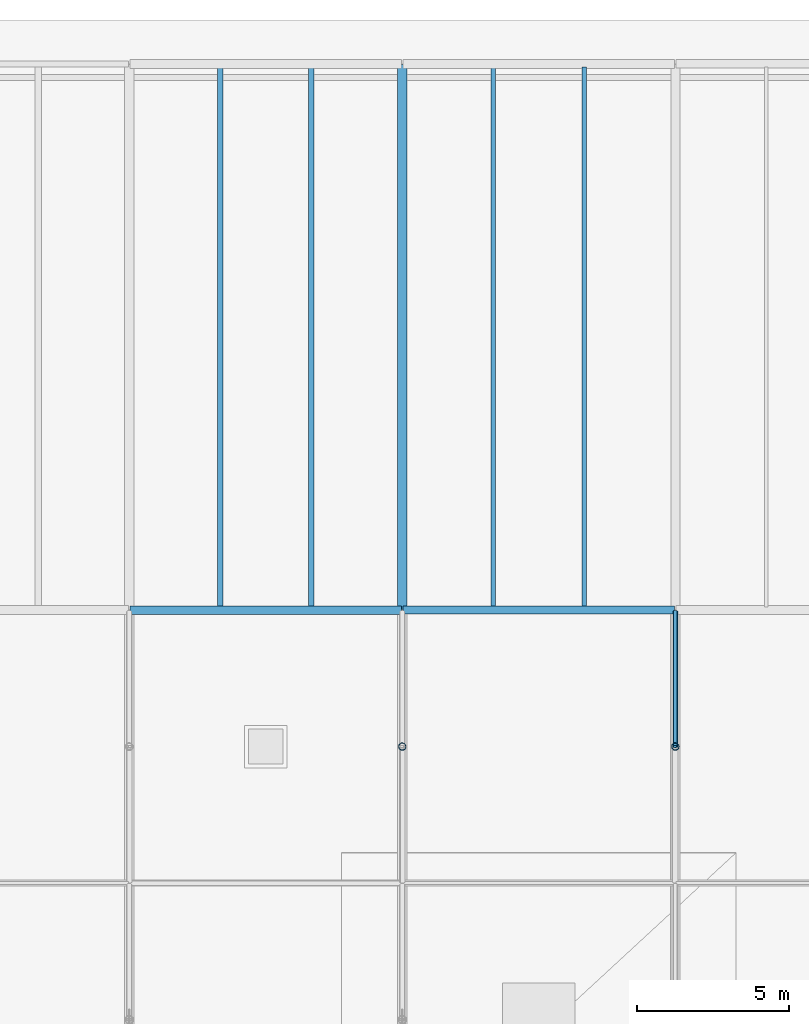
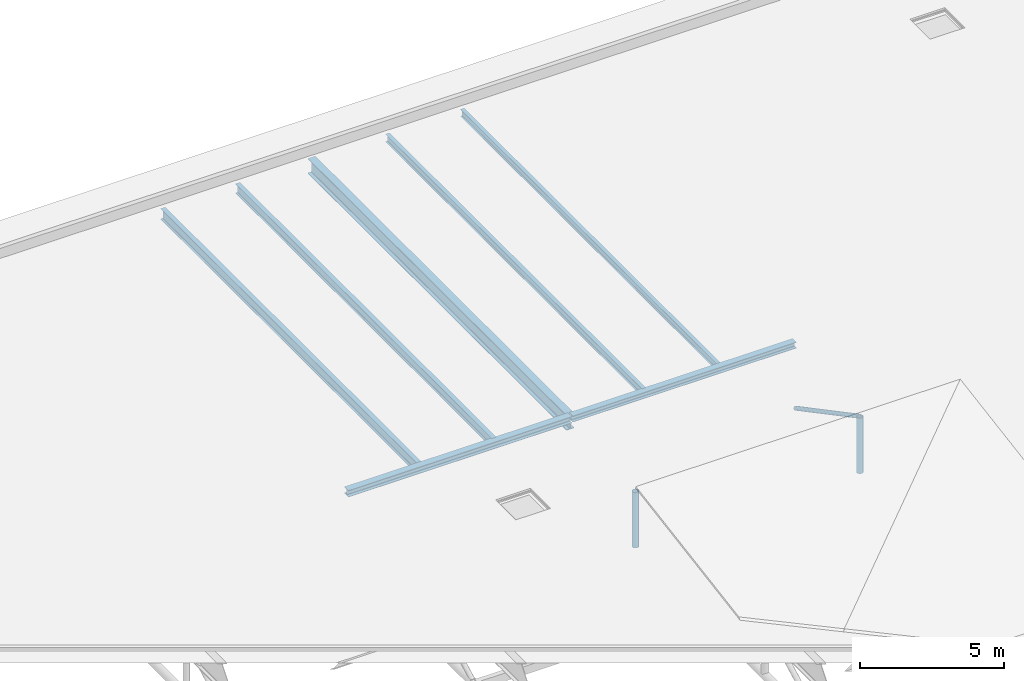
# One storey, part 94 of 196: 7 beams, 3 members.
"""IFC4 building model written with IfcOpenShell, lengths in metres."""

from ifc_helpers import new_model, si_unit, direction, frame, origin, origin_2d, place, context, subcontext, project, spatial, hollow_circle, i_section, extrude, material, material_profile, profile_set, type_object, element, save


model = new_model("IFC4")

# Units and contexts
model_context = context("Model", 3, precision=1e-05, world=origin(), true_north=direction((0.0, 1.0)))
body_context = subcontext(model_context, "Body", "Model", "MODEL_VIEW")
ifc_project = project(units=[si_unit("LENGTHUNIT", "METRE"), si_unit("AREAUNIT", "SQUARE_METRE"), si_unit("VOLUMEUNIT", "CUBIC_METRE"), si_unit("PLANEANGLEUNIT", "RADIAN"), si_unit("MASSUNIT", "GRAM", prefix="KILO")], contexts=[model_context])

# Site, building, storey
site_placement = place(None, origin())
site = spatial("IfcSite", under=ifc_project, at=site_placement, CompositionType="ELEMENT")
building_placement = place(site_placement, origin())
building = spatial("IfcBuilding", under=site, at=building_placement, Name="Barlavento Convention Centre", CompositionType="ELEMENT")
storey_placement = place(building_placement, frame((0.0, 0.0, 18.0)))
storey = spatial("IfcBuildingStorey", under=building, at=storey_placement, Name="L03", CompositionType="ELEMENT", Elevation=18.0)

# Beams
ifc_material = material(Name="Steel S355", Category="steel")
ifc_material_profile_1 = material_profile(ifc_material, i_section(OverallWidth=0.14990234375, OverallDepth=0.300048828125, WebThickness=0.007080078125, FlangeThickness=0.0107421875, FilletRadius=0.014892578125, at=origin_2d()), Name="IPE 300")
ifc_profile_set_1 = profile_set([ifc_material_profile_1], Name="Steel S355")
beam_type_1 = type_object("IfcBeamType", Name="STR-BM-JST-IPE300", PredefinedType="JOIST", material=ifc_profile_set_1)
beam_1_placement = place(storey_placement, frame((78.0, 117.094970703125, -0.4951171875), z_axis=(0.0, 1.0, 0.0), x_axis=(-1.0, 0.0, 0.0)))
element("IfcBeam", 1, at=beam_1_placement, inside=storey, type_object=beam_type_1, Name="L03 composite floor joist SJ07", PredefinedType="JOIST", context=body_context, shape_type="SweptSolid", body=[
    extrude(i_section(OverallWidth=0.14990234375, OverallDepth=0.300048828125, WebThickness=0.007080078125, FlangeThickness=0.0107421875, FilletRadius=0.014892578125, at=origin_2d()), origin(), (0.0, 0.0, 1.0), 17.81005859375),
])
ifc_material_profile_2 = material_profile(ifc_material, i_section(OverallWidth=0.159912109375, OverallDepth=0.330078125, WebThickness=0.007568359375, FlangeThickness=0.011474609375, FilletRadius=0.01806640625, at=origin_2d()), Name="IPE 330")
ifc_profile_set_2 = profile_set([ifc_material_profile_2], Name="Steel S355")
beam_type_2 = type_object("IfcBeamType", Name="STR-BM-JST-IPE330", PredefinedType="JOIST", material=ifc_profile_set_2)
beam_2_placement = place(storey_placement, frame((75.0, 117.094970703125, -0.510009765625), z_axis=(0.0, 1.0, 0.0), x_axis=(-1.0, 0.0, 0.0)))
element("IfcBeam", 2, at=beam_2_placement, inside=storey, type_object=beam_type_2, Name="L03 composite floor joist SJ06", PredefinedType="JOIST", context=body_context, shape_type="SweptSolid", body=[
    extrude(i_section(OverallWidth=0.159912109375, OverallDepth=0.330078125, WebThickness=0.007568359375, FlangeThickness=0.011474609375, FilletRadius=0.01806640625, at=origin_2d()), origin(), (0.0, 0.0, 1.0), 17.81005859375),
])
ifc_material_profile_3 = material_profile(ifc_material, i_section(OverallWidth=0.179931640625, OverallDepth=0.39990234375, WebThickness=0.008544921875, FlangeThickness=0.013427734375, FilletRadius=0.02099609375, at=origin_2d()), Name="IPE 400")
ifc_profile_set_3 = profile_set([ifc_material_profile_3], Name="Steel S355")
beam_type_3 = type_object("IfcBeamType", Name="STR-BM-JST-IPE400", PredefinedType="JOIST", material=ifc_profile_set_3)
beam_3_placement = place(storey_placement, frame((69.0, 117.094970703125, -0.544921875), z_axis=(0.0, 1.0, 0.0), x_axis=(-1.0, 0.0, 0.0)))
element("IfcBeam", 3, at=beam_3_placement, inside=storey, type_object=beam_type_3, Name="L03 composite floor joist SJ04", PredefinedType="JOIST", context=body_context, shape_type="SweptSolid", body=[
    extrude(i_section(OverallWidth=0.179931640625, OverallDepth=0.39990234375, WebThickness=0.008544921875, FlangeThickness=0.013427734375, FilletRadius=0.02099609375, at=origin_2d()), origin(), (0.0, 0.0, 1.0), 17.81005859375),
])
ifc_material_profile_4 = material_profile(ifc_material, i_section(OverallWidth=0.18994140625, OverallDepth=0.449951171875, WebThickness=0.009521484375, FlangeThickness=0.0146484375, FilletRadius=0.02099609375, at=origin_2d()), Name="IPE 450")
ifc_profile_set_4 = profile_set([ifc_material_profile_4], Name="Steel S355")
beam_type_4 = type_object("IfcBeamType", Name="STR-BM-JST-IPE450", PredefinedType="JOIST", material=ifc_profile_set_4)
beam_4_placement = place(storey_placement, frame((66.0, 117.094970703125, -0.570068359375), z_axis=(0.0, 1.0, 0.0), x_axis=(-1.0, 0.0, 0.0)))
element("IfcBeam", 4, at=beam_4_placement, inside=storey, type_object=beam_type_4, Name="L03 composite floor joist SJ03", PredefinedType="JOIST", context=body_context, shape_type="SweptSolid", body=[
    extrude(i_section(OverallWidth=0.18994140625, OverallDepth=0.449951171875, WebThickness=0.009521484375, FlangeThickness=0.0146484375, FilletRadius=0.02099609375, at=origin_2d()), origin(), (0.0, 0.0, 1.0), 17.81005859375),
])
ifc_material_profile_5 = material_profile(ifc_material, i_section(OverallWidth=0.300048828125, OverallDepth=0.639892578125, WebThickness=0.013427734375, FlangeThickness=0.02587890625, FilletRadius=0.027099609375, at=origin_2d()), Name="HEA 650")
ifc_profile_set_5 = profile_set([ifc_material_profile_5], Name="Steel S355")
beam_type_5 = type_object("IfcBeamType", Name="STR-BM-PRI-HEA650", PredefinedType="BEAM", material=ifc_profile_set_5)
beam_5_placement = place(storey_placement, frame((72.0, 117.02001953125, -0.6650390625), z_axis=(0.0, 1.0, 0.0), x_axis=(-1.0, 0.0, 0.0)))
element("IfcBeam", 5, at=beam_5_placement, inside=storey, type_object=beam_type_5, Name="L03 grid girder BG17", PredefinedType="BEAM", context=body_context, shape_type="SweptSolid", body=[
    extrude(i_section(OverallWidth=0.300048828125, OverallDepth=0.639892578125, WebThickness=0.013427734375, FlangeThickness=0.02587890625, FilletRadius=0.027099609375, at=origin_2d()), origin(), (0.0, 0.0, 1.0), 17.9599609375),
])
ifc_material_profile_6 = material_profile(ifc_material, i_section(OverallWidth=0.260009765625, OverallDepth=0.260009765625, WebThickness=0.010009765625, FlangeThickness=0.017578125, FilletRadius=0.02392578125, at=origin_2d()), Name="HEB 260")
ifc_profile_set_6 = profile_set([ifc_material_profile_6], Name="Steel S355")
beam_type_6 = type_object("IfcBeamType", Name="STR-BM-PRI-HEB260", PredefinedType="BEAM", material=ifc_profile_set_6)
beam_6_placement = place(storey_placement, frame((72.02001953125, 117.0, -0.47509765625), z_axis=(1.0, 0.0, 0.0), x_axis=(0.0, 1.0, 0.0)))
element("IfcBeam", 6, at=beam_6_placement, inside=storey, type_object=beam_type_6, Name="L03 primary girder BG16", PredefinedType="BEAM", context=body_context, shape_type="SweptSolid", body=[
    extrude(i_section(OverallWidth=0.260009765625, OverallDepth=0.260009765625, WebThickness=0.010009765625, FlangeThickness=0.017578125, FilletRadius=0.02392578125, at=origin_2d()), origin(), (0.0, 0.0, 1.0), 8.9599609375),
])
ifc_material_profile_7 = material_profile(ifc_material, i_section(OverallWidth=0.280029296875, OverallDepth=0.280029296875, WebThickness=0.010498046875, FlangeThickness=0.01806640625, FilletRadius=0.02392578125, at=origin_2d()), Name="HEB 280")
ifc_profile_set_7 = profile_set([ifc_material_profile_7], Name="Steel S355")
beam_type_7 = type_object("IfcBeamType", Name="STR-BM-PRI-HEB280", PredefinedType="BEAM", material=ifc_profile_set_7)
beam_7_placement = place(storey_placement, frame((63.02001953125, 117.0, -0.485107421875), z_axis=(1.0, 0.0, 0.0), x_axis=(0.0, 1.0, 0.0)))
element("IfcBeam", 7, at=beam_7_placement, inside=storey, type_object=beam_type_7, Name="L03 primary girder BG15", PredefinedType="BEAM", context=body_context, shape_type="SweptSolid", body=[
    extrude(i_section(OverallWidth=0.280029296875, OverallDepth=0.280029296875, WebThickness=0.010498046875, FlangeThickness=0.01806640625, FilletRadius=0.02392578125, at=origin_2d()), origin(), (0.0, 0.0, 1.0), 8.9599609375),
])

# Members
ifc_material_profile_8 = material_profile(ifc_material, hollow_circle(Radius=0.084228515625, WallThickness=0.010009765625, at=origin_2d()), Name="CHS 168.3x10.0")
ifc_profile_set_8 = profile_set([ifc_material_profile_8], Name="Steel S355")
member_type_1 = type_object("IfcMemberType", Name="STR-MEM-DIAG-CHS168", PredefinedType="POST", material=ifc_profile_set_8)
member_1_placement = place(storey_placement, frame((81.0, 112.5, -0.844970703125), z_axis=(0.0, 0.883859857229, -0.467751806816), x_axis=(-1.0, 0.0, 0.0)))
element("IfcMember", 8, at=member_1_placement, inside=storey, type_object=member_type_1, Name="Exhibition space frame web diagonal", PredefinedType="POST", context=body_context, shape_type="SweptSolid", body=[
    extrude(hollow_circle(Radius=0.084228515625, WallThickness=0.010009765625, at=origin_2d()), origin(), (0.0, 0.0, 1.0), 5.03466796875),
])
ifc_material_profile_9 = material_profile(ifc_material, hollow_circle(Radius=0.122314453125, WallThickness=0.012451171875, at=origin_2d()), Name="CHS 244.5x12.5")
ifc_profile_set_9 = profile_set([ifc_material_profile_9], Name="Steel S355")
member_type_2 = type_object("IfcMemberType", Name="STR-MEM-STRUT-CHS244", PredefinedType="STRUT", material=ifc_profile_set_9)
member_2_placement = place(storey_placement, frame((72.0, 112.5, -3.199951171875), z_axis=(0.0, 0.0, 1.0), x_axis=(1.0, 0.0, 0.0)))
element("IfcMember", 9, at=member_2_placement, inside=storey, type_object=member_type_2, Name="Exhibition space frame vertical strut", PredefinedType="STRUT", context=body_context, shape_type="SweptSolid", body=[
    extrude(hollow_circle(Radius=0.122314453125, WallThickness=0.012451171875, at=origin_2d()), origin(), (0.0, 0.0, 1.0), 2.350830078125),
])
member_3_placement = place(storey_placement, frame((81.0, 112.5, -3.199951171875), z_axis=(0.0, 0.0, 1.0), x_axis=(1.0, 0.0, 0.0)))
element("IfcMember", 10, at=member_3_placement, inside=storey, type_object=member_type_2, Name="Exhibition space frame vertical strut", PredefinedType="STRUT", context=body_context, shape_type="SweptSolid", body=[
    extrude(hollow_circle(Radius=0.122314453125, WallThickness=0.012451171875, at=origin_2d()), origin(), (0.0, 0.0, 1.0), 2.35498046875),
])

save(model, "model.ifc")
